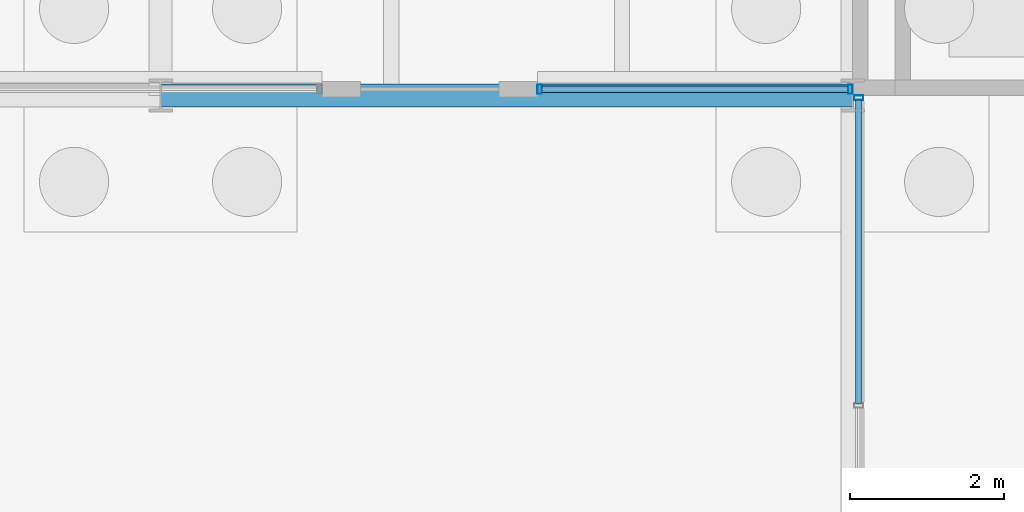
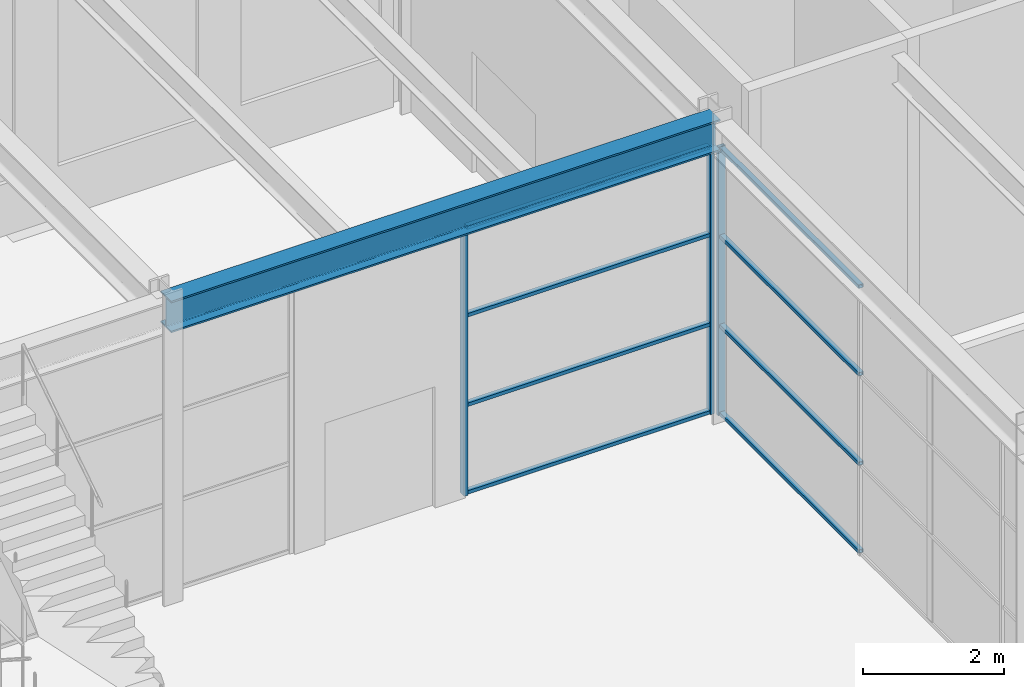
# One storey, part 51 of 126: 11 members, 1 beam, 2 elements without a shape of their own.
"""IFC4 building model written with IfcOpenShell, lengths in metres."""

from ifc_helpers import new_model, si_unit, direction, frame, origin, origin_2d, place, context, subcontext, project, spatial, hollow_rectangle, i_section, extrude, material, material_profile, profile_set, type_object, element, aggregate, save


model = new_model("IFC4")

# Units and contexts
model_context = context("Model", 3, precision=1e-05, world=origin(), true_north=direction((0.0, 1.0)))
body_context = subcontext(model_context, "Body", "Model", "MODEL_VIEW")
ifc_project = project(units=[si_unit("LENGTHUNIT", "METRE"), si_unit("AREAUNIT", "SQUARE_METRE"), si_unit("VOLUMEUNIT", "CUBIC_METRE"), si_unit("PLANEANGLEUNIT", "RADIAN"), si_unit("MASSUNIT", "GRAM", prefix="KILO")], contexts=[model_context])

# Site, building, storey
site_placement = place(None, origin())
site = spatial("IfcSite", under=ifc_project, at=site_placement, CompositionType="ELEMENT")
building_placement = place(site_placement, origin())
building = spatial("IfcBuilding", under=site, at=building_placement, Name="Kallimachos Central Library", CompositionType="ELEMENT")
storey_placement = place(building_placement, origin())
storey = spatial("IfcBuildingStorey", under=building, at=storey_placement, Name="L00", CompositionType="ELEMENT", Elevation=0.0)

# Curtain wall, members
ifc_material_1 = material(Name="Aluminium and laminated glass", Category="aluminium")
curtain_wall_type = type_object("IfcCurtainWallType", Name="Atrium glazed screen", PredefinedType="NOTDEFINED", material=ifc_material_1)
curtain_wall_1_placement = place(storey_placement, origin())
curtain_wall_1 = element("IfcCurtainWall", 1, at=curtain_wall_1_placement, inside=storey, type_object=curtain_wall_type, Name="L00 atrium screen N", PredefinedType="NOTDEFINED")
ifc_material_2 = material(Name="Anodised aluminium", Category="aluminium")
ifc_material_profile_1 = material_profile(ifc_material_2, hollow_rectangle(XDim=0.06005859375, YDim=0.1201171875, WallThickness=0.00390625, at=origin_2d()), Name="ALU MULLION 60x120")
ifc_profile_set_1 = profile_set([ifc_material_profile_1], Name="Anodised aluminium")
member_type_1 = type_object("IfcMemberType", Name="Atrium screen mullion", PredefinedType="MULLION", material=ifc_profile_set_1)
member_1_placement = place(storey_placement, frame((97.429931640625, 75.080078125, 0.0), z_axis=(0.0, 0.0, 1.0), x_axis=(1.0, 0.0, 0.0)))
member_1 = element("IfcMember", 2, at=member_1_placement, type_object=member_type_1, Name="CW mullion 1", PredefinedType="MULLION", context=body_context, shape_type="SweptSolid", body=[
    extrude(hollow_rectangle(XDim=0.06005859375, YDim=0.1201171875, WallThickness=0.00390625, at=origin_2d()), origin(), (0.0, 0.0, 1.0), 4.64990234375),
])
member_2_placement = place(storey_placement, frame((101.469970703125, 75.080078125, 0.0), z_axis=(0.0, 0.0, 1.0), x_axis=(1.0, 0.0, 0.0)))
member_2 = element("IfcMember", 3, at=member_2_placement, type_object=member_type_1, Name="CW mullion 2", PredefinedType="MULLION", context=body_context, shape_type="SweptSolid", body=[
    extrude(hollow_rectangle(XDim=0.06005859375, YDim=0.1201171875, WallThickness=0.00390625, at=origin_2d()), origin(), (0.0, 0.0, 1.0), 4.64990234375),
])

# Curtain wall, member
curtain_wall_2_placement = place(storey_placement, origin())
curtain_wall_2 = element("IfcCurtainWall", 4, at=curtain_wall_2_placement, inside=storey, type_object=curtain_wall_type, Name="L00 atrium screen E", PredefinedType="NOTDEFINED")
member_3_placement = place(storey_placement, frame((101.580078125, 74.969970703125, 0.0), z_axis=(0.0, 0.0, 1.0), x_axis=(0.0, 1.0, 0.0)))
member_3 = element("IfcMember", 5, at=member_3_placement, type_object=member_type_1, Name="CW mullion 4", PredefinedType="MULLION", context=body_context, shape_type="SweptSolid", body=[
    extrude(hollow_rectangle(XDim=0.06005859375, YDim=0.1201171875, WallThickness=0.00390625, at=origin_2d()), origin(), (0.0, 0.0, 1.0), 4.64990234375),
])

# Member
ifc_material_3 = material(Name="Anodised aluminium", Category="aluminium")
ifc_material_profile_2 = material_profile(ifc_material_3, hollow_rectangle(XDim=0.06005859375, YDim=0.080078125, WallThickness=0.00390625, at=origin_2d()), Name="ALU TRANSOM 60x80")
ifc_profile_set_2 = profile_set([ifc_material_profile_2], Name="Anodised aluminium")
member_type_2 = type_object("IfcMemberType", Name="Atrium screen transom", PredefinedType="USERDEFINED", material=ifc_profile_set_2)
member_4_placement = place(storey_placement, frame((97.4599609375, 75.080078125, 0.030029296875), z_axis=(1.0, 0.0, 0.0), x_axis=(0.0, 0.0, 1.0)))
member_4 = element("IfcMember", 6, at=member_4_placement, type_object=member_type_2, Name="CW transom 1.1", ObjectType="TRANSOM", PredefinedType="USERDEFINED", context=body_context, shape_type="SweptSolid", body=[
    extrude(hollow_rectangle(XDim=0.06005859375, YDim=0.080078125, WallThickness=0.00390625, at=origin_2d()), origin(), (0.0, 0.0, 1.0), 3.97998046875),
])

member_5_placement = place(storey_placement, frame((97.4599609375, 75.080078125, 1.550048828125), z_axis=(1.0, 0.0, 0.0), x_axis=(0.0, 0.0, 1.0)))
member_5 = element("IfcMember", 7, at=member_5_placement, type_object=member_type_2, Name="CW transom 1.2", ObjectType="TRANSOM", PredefinedType="USERDEFINED", context=body_context, shape_type="SweptSolid", body=[
    extrude(hollow_rectangle(XDim=0.06005859375, YDim=0.080078125, WallThickness=0.00390625, at=origin_2d()), origin(), (0.0, 0.0, 1.0), 3.97998046875),
])

member_6_placement = place(storey_placement, frame((97.4599609375, 75.080078125, 3.10009765625), z_axis=(1.0, 0.0, 0.0), x_axis=(0.0, 0.0, 1.0)))
member_6 = element("IfcMember", 8, at=member_6_placement, type_object=member_type_2, Name="CW transom 1.3", ObjectType="TRANSOM", PredefinedType="USERDEFINED", context=body_context, shape_type="SweptSolid", body=[
    extrude(hollow_rectangle(XDim=0.06005859375, YDim=0.080078125, WallThickness=0.00390625, at=origin_2d()), origin(), (0.0, 0.0, 1.0), 3.97998046875),
])

member_7_placement = place(storey_placement, frame((97.4599609375, 75.080078125, 4.6201171875), z_axis=(1.0, 0.0, 0.0), x_axis=(0.0, 0.0, 1.0)))
member_7 = element("IfcMember", 9, at=member_7_placement, type_object=member_type_2, Name="CW transom 1.4", ObjectType="TRANSOM", PredefinedType="USERDEFINED", context=body_context, shape_type="SweptSolid", body=[
    extrude(hollow_rectangle(XDim=0.06005859375, YDim=0.080078125, WallThickness=0.00390625, at=origin_2d()), origin(), (0.0, 0.0, 1.0), 3.97998046875),
])

aggregate(curtain_wall_1, [member_1, member_2, member_4, member_5, member_6, member_7])

member_8_placement = place(storey_placement, frame((101.580078125, 70.99658203125, 0.030029296875), z_axis=(0.0, 1.0, 0.0), x_axis=(0.0, 0.0, 1.0)))
member_8 = element("IfcMember", 10, at=member_8_placement, type_object=member_type_2, Name="CW transom 3.1", ObjectType="TRANSOM", PredefinedType="USERDEFINED", context=body_context, shape_type="SweptSolid", body=[
    extrude(hollow_rectangle(XDim=0.06005859375, YDim=0.080078125, WallThickness=0.00390625, at=origin_2d()), origin(), (0.0, 0.0, 1.0), 3.943359375),
])

member_9_placement = place(storey_placement, frame((101.580078125, 70.99658203125, 1.550048828125), z_axis=(0.0, 1.0, 0.0), x_axis=(0.0, 0.0, 1.0)))
member_9 = element("IfcMember", 11, at=member_9_placement, type_object=member_type_2, Name="CW transom 3.2", ObjectType="TRANSOM", PredefinedType="USERDEFINED", context=body_context, shape_type="SweptSolid", body=[
    extrude(hollow_rectangle(XDim=0.06005859375, YDim=0.080078125, WallThickness=0.00390625, at=origin_2d()), origin(), (0.0, 0.0, 1.0), 3.943359375),
])

member_10_placement = place(storey_placement, frame((101.580078125, 70.99658203125, 3.10009765625), z_axis=(0.0, 1.0, 0.0), x_axis=(0.0, 0.0, 1.0)))
member_10 = element("IfcMember", 12, at=member_10_placement, type_object=member_type_2, Name="CW transom 3.3", ObjectType="TRANSOM", PredefinedType="USERDEFINED", context=body_context, shape_type="SweptSolid", body=[
    extrude(hollow_rectangle(XDim=0.06005859375, YDim=0.080078125, WallThickness=0.00390625, at=origin_2d()), origin(), (0.0, 0.0, 1.0), 3.943359375),
])

member_11_placement = place(storey_placement, frame((101.580078125, 70.99658203125, 4.6201171875), z_axis=(0.0, 1.0, 0.0), x_axis=(0.0, 0.0, 1.0)))
member_11 = element("IfcMember", 13, at=member_11_placement, type_object=member_type_2, Name="CW transom 3.4", ObjectType="TRANSOM", PredefinedType="USERDEFINED", context=body_context, shape_type="SweptSolid", body=[
    extrude(hollow_rectangle(XDim=0.06005859375, YDim=0.080078125, WallThickness=0.00390625, at=origin_2d()), origin(), (0.0, 0.0, 1.0), 3.943359375),
])

aggregate(curtain_wall_2, [member_3, member_8, member_9, member_10, member_11])

# Beam
ifc_material_4 = material(Name="Steel S355J2", Category="steel")
ifc_material_profile_3 = material_profile(ifc_material_4, i_section(OverallWidth=0.300048828125, OverallDepth=0.550048828125, WebThickness=0.014892578125, FlangeThickness=0.029052734375, FilletRadius=0.027099609375, at=origin_2d()), Name="HEB 550")
ifc_profile_set_3 = profile_set([ifc_material_profile_3], Name="Steel S355J2")
beam_type = type_object("IfcBeamType", Name="HEB 550 beam", PredefinedType="BEAM", material=ifc_profile_set_3)
beam_placement = place(storey_placement, frame((92.5, 75.0, 4.925048828125), z_axis=(1.0, 0.0, 0.0), x_axis=(0.0, 1.0, 0.0)))
element("IfcBeam", 14, at=beam_placement, inside=storey, type_object=beam_type, Name="V4-BEM-L00-003", PredefinedType="BEAM", context=body_context, shape_type="SweptSolid", body=[
    extrude(i_section(OverallWidth=0.300048828125, OverallDepth=0.550048828125, WebThickness=0.014892578125, FlangeThickness=0.029052734375, FilletRadius=0.027099609375, at=origin_2d()), origin(), (0.0, 0.0, 1.0), 9.0),
])

save(model, "model.ifc")
